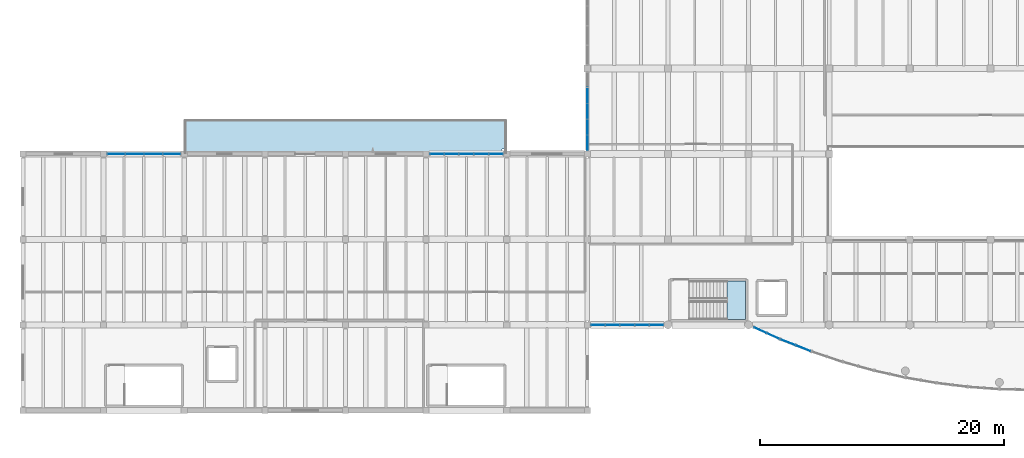
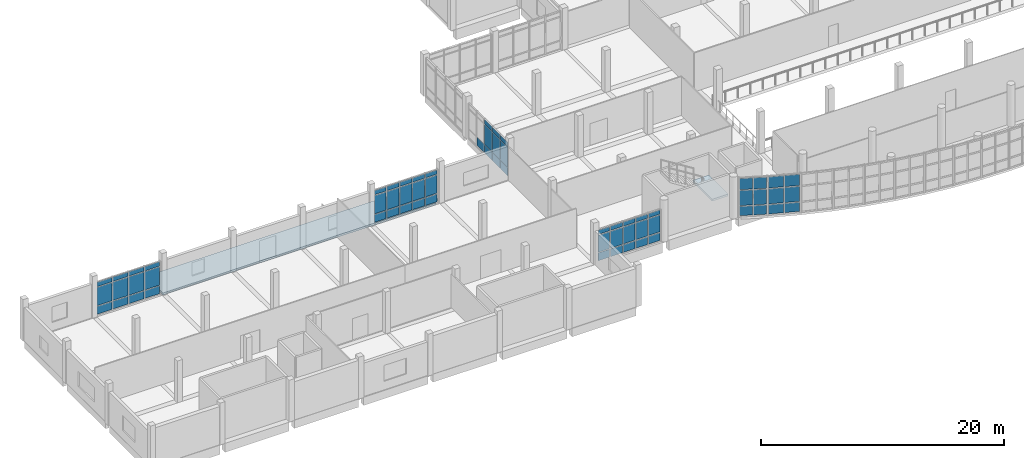
# One storey, part 35 of 65: 64 plates, 2 slabs, 7 elements without a shape of their own.
"""IFC4 building model written with IfcOpenShell, lengths in metres."""

from ifc_helpers import new_model, si_unit, direction, frame, origin, origin_2d, place, context, subcontext, project, spatial, polyline, rectangle, outline, extrude, material, layer, layer_set, type_object, element, aggregate, save


model = new_model("IFC4")

# Units and contexts
model_context = context("Model", 3, precision=1e-05, world=origin(), true_north=direction((0.0, 1.0)))
body_context = subcontext(model_context, "Body", "Model", "MODEL_VIEW")
ifc_project = project(units=[si_unit("LENGTHUNIT", "METRE"), si_unit("AREAUNIT", "SQUARE_METRE"), si_unit("VOLUMEUNIT", "CUBIC_METRE"), si_unit("PLANEANGLEUNIT", "RADIAN"), si_unit("MASSUNIT", "GRAM", prefix="KILO")], contexts=[model_context])

# Site, building, storey
site_placement = place(None, origin())
site = spatial("IfcSite", under=ifc_project, at=site_placement, CompositionType="ELEMENT")
building_placement = place(site_placement, origin())
building = spatial("IfcBuilding", under=site, at=building_placement, Name="Ciguamira Faculty of Natural Sciences", CompositionType="ELEMENT")
storey_placement = place(building_placement, frame((0.0, 0.0, 12.60009765625)))
storey = spatial("IfcBuildingStorey", under=building, at=storey_placement, Name="L03", CompositionType="ELEMENT", Elevation=12.60009765625)

# Curtain wall, plates
ifc_material_1 = material(Name="Anodized aluminium curtain wall", Category="aluminium")
curtain_wall_type_1 = type_object("IfcCurtainWallType", Name="CurtainWall_CW-09", PredefinedType="USERDEFINED", material=ifc_material_1)
curtain_wall_1_placement = place(storey_placement, origin())
curtain_wall_1 = element("IfcCurtainWall", 1, at=curtain_wall_1_placement, inside=storey, type_object=curtain_wall_type_1, Name="L03 unitised curtain wall 0081", ObjectType="UNITISED CURTAIN WALL", PredefinedType="USERDEFINED")
ifc_material_2 = material(Name="Low-E laminated solar glass", Category="glass")
ifc_layer_1 = layer(ifc_material_2, 0.028076171875, Name="Low-E laminated solar glass")
ifc_layer_set_1 = layer_set([ifc_layer_1], Name="Low-E laminated solar glass")
plate_type_1 = type_object("IfcPlateType", Name="CWPanel_CWP-01", PredefinedType="CURTAIN_PANEL", material=ifc_layer_set_1)
plate_1_placement = place(storey_placement, frame((51.572509765625, 10.0, 0.080078125), z_axis=(0.0, 0.0, 1.0), x_axis=(1.0, 0.0, 0.0)))
plate_1 = element("IfcPlate", 2, at=plate_1_placement, type_object=plate_type_1, Name="CW-09 panel 1.1", PredefinedType="CURTAIN_PANEL", context=body_context, shape_type="SweptSolid", body=[
    extrude(rectangle(XDim=1.0849609375, YDim=0.028076171875, at=origin_2d()), origin(), (0.0, 0.0, 1.0), 0.780029296875),
])
plate_2_placement = place(storey_placement, frame((51.572509765625, 10.0, 0.93994140625), z_axis=(0.0, 0.0, 1.0), x_axis=(1.0, 0.0, 0.0)))
plate_2 = element("IfcPlate", 3, at=plate_2_placement, type_object=plate_type_1, Name="CW-09 panel 1.2", PredefinedType="CURTAIN_PANEL", context=body_context, shape_type="SweptSolid", body=[
    extrude(rectangle(XDim=1.0849609375, YDim=0.028076171875, at=origin_2d()), origin(), (0.0, 0.0, 1.0), 1.705078125),
])
plate_3_placement = place(storey_placement, frame((51.572509765625, 10.0, 2.72509765625), z_axis=(0.0, 0.0, 1.0), x_axis=(1.0, 0.0, 0.0)))
plate_3 = element("IfcPlate", 4, at=plate_3_placement, type_object=plate_type_1, Name="CW-09 panel 1.3", PredefinedType="CURTAIN_PANEL", context=body_context, shape_type="SweptSolid", body=[
    extrude(rectangle(XDim=1.0849609375, YDim=0.028076171875, at=origin_2d()), origin(), (0.0, 0.0, 1.0), 0.429931640625),
])
plate_4_placement = place(storey_placement, frame((52.757568359375, 10.0, 0.080078125), z_axis=(0.0, 0.0, 1.0), x_axis=(1.0, 0.0, 0.0)))
plate_4 = element("IfcPlate", 5, at=plate_4_placement, type_object=plate_type_1, Name="CW-09 panel 2.1", PredefinedType="CURTAIN_PANEL", context=body_context, shape_type="SweptSolid", body=[
    extrude(rectangle(XDim=1.125, YDim=0.028076171875, at=origin_2d()), origin(), (0.0, 0.0, 1.0), 0.780029296875),
])
plate_5_placement = place(storey_placement, frame((52.757568359375, 10.0, 0.93994140625), z_axis=(0.0, 0.0, 1.0), x_axis=(1.0, 0.0, 0.0)))
plate_5 = element("IfcPlate", 6, at=plate_5_placement, type_object=plate_type_1, Name="CW-09 panel 2.2", PredefinedType="CURTAIN_PANEL", context=body_context, shape_type="SweptSolid", body=[
    extrude(rectangle(XDim=1.125, YDim=0.028076171875, at=origin_2d()), origin(), (0.0, 0.0, 1.0), 1.705078125),
])
plate_6_placement = place(storey_placement, frame((52.757568359375, 10.0, 2.72509765625), z_axis=(0.0, 0.0, 1.0), x_axis=(1.0, 0.0, 0.0)))
plate_6 = element("IfcPlate", 7, at=plate_6_placement, type_object=plate_type_1, Name="CW-09 panel 2.3", PredefinedType="CURTAIN_PANEL", context=body_context, shape_type="SweptSolid", body=[
    extrude(rectangle(XDim=1.125, YDim=0.028076171875, at=origin_2d()), origin(), (0.0, 0.0, 1.0), 0.429931640625),
])
plate_7_placement = place(storey_placement, frame((53.96240234375, 10.0, 0.080078125), z_axis=(0.0, 0.0, 1.0), x_axis=(1.0, 0.0, 0.0)))
plate_7 = element("IfcPlate", 8, at=plate_7_placement, type_object=plate_type_1, Name="CW-09 panel 3.1", PredefinedType="CURTAIN_PANEL", context=body_context, shape_type="SweptSolid", body=[
    extrude(rectangle(XDim=1.125, YDim=0.028076171875, at=origin_2d()), origin(), (0.0, 0.0, 1.0), 0.780029296875),
])
plate_8_placement = place(storey_placement, frame((53.96240234375, 10.0, 0.93994140625), z_axis=(0.0, 0.0, 1.0), x_axis=(1.0, 0.0, 0.0)))
plate_8 = element("IfcPlate", 9, at=plate_8_placement, type_object=plate_type_1, Name="CW-09 panel 3.2", PredefinedType="CURTAIN_PANEL", context=body_context, shape_type="SweptSolid", body=[
    extrude(rectangle(XDim=1.125, YDim=0.028076171875, at=origin_2d()), origin(), (0.0, 0.0, 1.0), 1.705078125),
])
plate_9_placement = place(storey_placement, frame((53.96240234375, 10.0, 2.72509765625), z_axis=(0.0, 0.0, 1.0), x_axis=(1.0, 0.0, 0.0)))
plate_9 = element("IfcPlate", 10, at=plate_9_placement, type_object=plate_type_1, Name="CW-09 panel 3.3", PredefinedType="CURTAIN_PANEL", context=body_context, shape_type="SweptSolid", body=[
    extrude(rectangle(XDim=1.125, YDim=0.028076171875, at=origin_2d()), origin(), (0.0, 0.0, 1.0), 0.429931640625),
])
plate_10_placement = place(storey_placement, frame((55.16748046875, 10.0, 0.080078125), z_axis=(0.0, 0.0, 1.0), x_axis=(1.0, 0.0, 0.0)))
plate_10 = element("IfcPlate", 11, at=plate_10_placement, type_object=plate_type_1, Name="CW-09 panel 4.1", PredefinedType="CURTAIN_PANEL", context=body_context, shape_type="SweptSolid", body=[
    extrude(rectangle(XDim=1.125, YDim=0.028076171875, at=origin_2d()), origin(), (0.0, 0.0, 1.0), 0.780029296875),
])
plate_11_placement = place(storey_placement, frame((55.16748046875, 10.0, 0.93994140625), z_axis=(0.0, 0.0, 1.0), x_axis=(1.0, 0.0, 0.0)))
plate_11 = element("IfcPlate", 12, at=plate_11_placement, type_object=plate_type_1, Name="CW-09 panel 4.2", PredefinedType="CURTAIN_PANEL", context=body_context, shape_type="SweptSolid", body=[
    extrude(rectangle(XDim=1.125, YDim=0.028076171875, at=origin_2d()), origin(), (0.0, 0.0, 1.0), 1.705078125),
])
plate_12_placement = place(storey_placement, frame((55.16748046875, 10.0, 2.72509765625), z_axis=(0.0, 0.0, 1.0), x_axis=(1.0, 0.0, 0.0)))
plate_12 = element("IfcPlate", 13, at=plate_12_placement, type_object=plate_type_1, Name="CW-09 panel 4.3", PredefinedType="CURTAIN_PANEL", context=body_context, shape_type="SweptSolid", body=[
    extrude(rectangle(XDim=1.125, YDim=0.028076171875, at=origin_2d()), origin(), (0.0, 0.0, 1.0), 0.429931640625),
])
plate_13_placement = place(storey_placement, frame((56.3525390625, 10.0, 0.080078125), z_axis=(0.0, 0.0, 1.0), x_axis=(1.0, 0.0, 0.0)))
plate_13 = element("IfcPlate", 14, at=plate_13_placement, type_object=plate_type_1, Name="CW-09 panel 5.1", PredefinedType="CURTAIN_PANEL", context=body_context, shape_type="SweptSolid", body=[
    extrude(rectangle(XDim=1.0849609375, YDim=0.028076171875, at=origin_2d()), origin(), (0.0, 0.0, 1.0), 0.780029296875),
])
plate_14_placement = place(storey_placement, frame((56.3525390625, 10.0, 0.93994140625), z_axis=(0.0, 0.0, 1.0), x_axis=(1.0, 0.0, 0.0)))
plate_14 = element("IfcPlate", 15, at=plate_14_placement, type_object=plate_type_1, Name="CW-09 panel 5.2", PredefinedType="CURTAIN_PANEL", context=body_context, shape_type="SweptSolid", body=[
    extrude(rectangle(XDim=1.0849609375, YDim=0.028076171875, at=origin_2d()), origin(), (0.0, 0.0, 1.0), 1.705078125),
])
plate_15_placement = place(storey_placement, frame((56.3525390625, 10.0, 2.72509765625), z_axis=(0.0, 0.0, 1.0), x_axis=(1.0, 0.0, 0.0)))
plate_15 = element("IfcPlate", 16, at=plate_15_placement, type_object=plate_type_1, Name="CW-09 panel 5.3", PredefinedType="CURTAIN_PANEL", context=body_context, shape_type="SweptSolid", body=[
    extrude(rectangle(XDim=1.0849609375, YDim=0.028076171875, at=origin_2d()), origin(), (0.0, 0.0, 1.0), 0.429931640625),
])
aggregate(curtain_wall_1, [plate_1, plate_2, plate_3, plate_4, plate_5, plate_6, plate_7, plate_8, plate_9, plate_10, plate_11, plate_12, plate_13, plate_14, plate_15])

curtain_wall_type_2 = type_object("IfcCurtainWallType", Name="CurtainWall_CW-11", PredefinedType="USERDEFINED", material=ifc_material_1)
curtain_wall_2_placement = place(storey_placement, origin())
curtain_wall_2 = element("IfcCurtainWall", 17, at=curtain_wall_2_placement, inside=storey, type_object=curtain_wall_type_2, Name="L03 unitised curtain wall 0083", ObjectType="UNITISED CURTAIN WALL", PredefinedType="USERDEFINED")
plate_16_placement = place(storey_placement, frame((12.1298828125, 24.0, 0.06982421875), z_axis=(0.0, 0.0, 1.0), x_axis=(1.0, 0.0, 0.0)))
plate_16 = element("IfcPlate", 18, at=plate_16_placement, type_object=plate_type_1, Name="CW-11 panel 1.1", PredefinedType="CURTAIN_PANEL", context=body_context, shape_type="SweptSolid", body=[
    extrude(rectangle(XDim=1.419921875, YDim=0.028076171875, at=origin_2d()), origin(), (0.0, 0.0, 1.0), 0.794921875),
])
plate_17_placement = place(storey_placement, frame((12.1298828125, 24.0, 0.93505859375), z_axis=(0.0, 0.0, 1.0), x_axis=(1.0, 0.0, 0.0)))
plate_17 = element("IfcPlate", 19, at=plate_17_placement, type_object=plate_type_1, Name="CW-11 panel 1.2", PredefinedType="CURTAIN_PANEL", context=body_context, shape_type="SweptSolid", body=[
    extrude(rectangle(XDim=1.419921875, YDim=0.028076171875, at=origin_2d()), origin(), (0.0, 0.0, 1.0), 1.844970703125),
])
plate_18_placement = place(storey_placement, frame((12.1298828125, 24.0, 2.85009765625), z_axis=(0.0, 0.0, 1.0), x_axis=(1.0, 0.0, 0.0)))
plate_18 = element("IfcPlate", 20, at=plate_18_placement, type_object=plate_type_1, Name="CW-11 panel 1.3", PredefinedType="CURTAIN_PANEL", context=body_context, shape_type="SweptSolid", body=[
    extrude(rectangle(XDim=1.419921875, YDim=0.028076171875, at=origin_2d()), origin(), (0.0, 0.0, 1.0), 0.445068359375),
])
plate_19_placement = place(storey_placement, frame((13.637451171875, 24.0, 0.06982421875), z_axis=(0.0, 0.0, 1.0), x_axis=(1.0, 0.0, 0.0)))
plate_19 = element("IfcPlate", 21, at=plate_19_placement, type_object=plate_type_1, Name="CW-11 panel 2.1", PredefinedType="CURTAIN_PANEL", context=body_context, shape_type="SweptSolid", body=[
    extrude(rectangle(XDim=1.455078125, YDim=0.028076171875, at=origin_2d()), origin(), (0.0, 0.0, 1.0), 0.794921875),
])
plate_20_placement = place(storey_placement, frame((13.637451171875, 24.0, 0.93505859375), z_axis=(0.0, 0.0, 1.0), x_axis=(1.0, 0.0, 0.0)))
plate_20 = element("IfcPlate", 22, at=plate_20_placement, type_object=plate_type_1, Name="CW-11 panel 2.2", PredefinedType="CURTAIN_PANEL", context=body_context, shape_type="SweptSolid", body=[
    extrude(rectangle(XDim=1.455078125, YDim=0.028076171875, at=origin_2d()), origin(), (0.0, 0.0, 1.0), 1.844970703125),
])
plate_21_placement = place(storey_placement, frame((13.637451171875, 24.0, 2.85009765625), z_axis=(0.0, 0.0, 1.0), x_axis=(1.0, 0.0, 0.0)))
plate_21 = element("IfcPlate", 23, at=plate_21_placement, type_object=plate_type_1, Name="CW-11 panel 2.3", PredefinedType="CURTAIN_PANEL", context=body_context, shape_type="SweptSolid", body=[
    extrude(rectangle(XDim=1.455078125, YDim=0.028076171875, at=origin_2d()), origin(), (0.0, 0.0, 1.0), 0.445068359375),
])
plate_22_placement = place(storey_placement, frame((15.16259765625, 24.0, 0.06982421875), z_axis=(0.0, 0.0, 1.0), x_axis=(1.0, 0.0, 0.0)))
plate_22 = element("IfcPlate", 24, at=plate_22_placement, type_object=plate_type_1, Name="CW-11 panel 3.1", PredefinedType="CURTAIN_PANEL", context=body_context, shape_type="SweptSolid", body=[
    extrude(rectangle(XDim=1.455078125, YDim=0.028076171875, at=origin_2d()), origin(), (0.0, 0.0, 1.0), 0.794921875),
])
plate_23_placement = place(storey_placement, frame((15.16259765625, 24.0, 0.93505859375), z_axis=(0.0, 0.0, 1.0), x_axis=(1.0, 0.0, 0.0)))
plate_23 = element("IfcPlate", 25, at=plate_23_placement, type_object=plate_type_1, Name="CW-11 panel 3.2", PredefinedType="CURTAIN_PANEL", context=body_context, shape_type="SweptSolid", body=[
    extrude(rectangle(XDim=1.455078125, YDim=0.028076171875, at=origin_2d()), origin(), (0.0, 0.0, 1.0), 1.844970703125),
])
plate_24_placement = place(storey_placement, frame((15.16259765625, 24.0, 2.85009765625), z_axis=(0.0, 0.0, 1.0), x_axis=(1.0, 0.0, 0.0)))
plate_24 = element("IfcPlate", 26, at=plate_24_placement, type_object=plate_type_1, Name="CW-11 panel 3.3", PredefinedType="CURTAIN_PANEL", context=body_context, shape_type="SweptSolid", body=[
    extrude(rectangle(XDim=1.455078125, YDim=0.028076171875, at=origin_2d()), origin(), (0.0, 0.0, 1.0), 0.445068359375),
])
plate_25_placement = place(storey_placement, frame((16.669921875, 24.0, 0.06982421875), z_axis=(0.0, 0.0, 1.0), x_axis=(1.0, 0.0, 0.0)))
plate_25 = element("IfcPlate", 27, at=plate_25_placement, type_object=plate_type_1, Name="CW-11 panel 4.1", PredefinedType="CURTAIN_PANEL", context=body_context, shape_type="SweptSolid", body=[
    extrude(rectangle(XDim=1.419921875, YDim=0.028076171875, at=origin_2d()), origin(), (0.0, 0.0, 1.0), 0.794921875),
])
plate_26_placement = place(storey_placement, frame((16.669921875, 24.0, 0.93505859375), z_axis=(0.0, 0.0, 1.0), x_axis=(1.0, 0.0, 0.0)))
plate_26 = element("IfcPlate", 28, at=plate_26_placement, type_object=plate_type_1, Name="CW-11 panel 4.2", PredefinedType="CURTAIN_PANEL", context=body_context, shape_type="SweptSolid", body=[
    extrude(rectangle(XDim=1.419921875, YDim=0.028076171875, at=origin_2d()), origin(), (0.0, 0.0, 1.0), 1.844970703125),
])
plate_27_placement = place(storey_placement, frame((16.669921875, 24.0, 2.85009765625), z_axis=(0.0, 0.0, 1.0), x_axis=(1.0, 0.0, 0.0)))
plate_27 = element("IfcPlate", 29, at=plate_27_placement, type_object=plate_type_1, Name="CW-11 panel 4.3", PredefinedType="CURTAIN_PANEL", context=body_context, shape_type="SweptSolid", body=[
    extrude(rectangle(XDim=1.419921875, YDim=0.028076171875, at=origin_2d()), origin(), (0.0, 0.0, 1.0), 0.445068359375),
])
aggregate(curtain_wall_2, [plate_16, plate_17, plate_18, plate_19, plate_20, plate_21, plate_22, plate_23, plate_24, plate_25, plate_26, plate_27])

curtain_wall_type_3 = type_object("IfcCurtainWallType", Name="CurtainWall_CW-12", PredefinedType="USERDEFINED", material=ifc_material_1)
curtain_wall_3_placement = place(storey_placement, origin())
curtain_wall_3 = element("IfcCurtainWall", 30, at=curtain_wall_3_placement, inside=storey, type_object=curtain_wall_type_3, Name="L03 south gallery curved curtain wall 01", ObjectType="UNITISED CURTAIN WALL", PredefinedType="USERDEFINED")
plate_28_placement = place(storey_placement, frame((64.8466796875, 9.5703125, 0.080078125), z_axis=(0.0, 0.0, 1.0), x_axis=(0.910580503774, -0.41333176281, 0.0)))
plate_28 = element("IfcPlate", 31, at=plate_28_placement, type_object=plate_type_1, Name="CW-12 panel 1.1", PredefinedType="CURTAIN_PANEL", context=body_context, shape_type="SweptSolid", body=[
    extrude(rectangle(XDim=1.079345703125, YDim=0.028076171875, at=origin_2d()), origin(), (0.0, 0.0, 1.0), 0.929931640625),
])
plate_29_placement = place(storey_placement, frame((64.8466796875, 9.5703125, 1.08984375), z_axis=(0.0, 0.0, 1.0), x_axis=(0.910580503774, -0.41333176281, 0.0)))
plate_29 = element("IfcPlate", 32, at=plate_29_placement, type_object=plate_type_1, Name="CW-12 panel 1.2", PredefinedType="CURTAIN_PANEL", context=body_context, shape_type="SweptSolid", body=[
    extrude(rectangle(XDim=1.079345703125, YDim=0.028076171875, at=origin_2d()), origin(), (0.0, 0.0, 1.0), 1.52001953125),
])
plate_30_placement = place(storey_placement, frame((64.8466796875, 9.5703125, 2.68994140625), z_axis=(0.0, 0.0, 1.0), x_axis=(0.910580503774, -0.41333176281, 0.0)))
plate_30 = element("IfcPlate", 33, at=plate_30_placement, type_object=plate_type_1, Name="CW-12 panel 1.3", PredefinedType="CURTAIN_PANEL", context=body_context, shape_type="SweptSolid", body=[
    extrude(rectangle(XDim=1.079345703125, YDim=0.028076171875, at=origin_2d()), origin(), (0.0, 0.0, 1.0), 1.1298828125),
])
plate_31_placement = place(storey_placement, frame((65.90234375, 9.091064453125, 0.080078125), z_axis=(0.0, 0.0, 1.0), x_axis=(0.910580503774, -0.41333176281, 0.0)))
plate_31 = element("IfcPlate", 34, at=plate_31_placement, type_object=plate_type_1, Name="CW-12 panel 2.1", PredefinedType="CURTAIN_PANEL", context=body_context, shape_type="SweptSolid", body=[
    extrude(rectangle(XDim=1.079345703125, YDim=0.028076171875, at=origin_2d()), origin(), (0.0, 0.0, 1.0), 0.929931640625),
])
plate_32_placement = place(storey_placement, frame((65.90234375, 9.091064453125, 1.08984375), z_axis=(0.0, 0.0, 1.0), x_axis=(0.910580503774, -0.41333176281, 0.0)))
plate_32 = element("IfcPlate", 35, at=plate_32_placement, type_object=plate_type_1, Name="CW-12 panel 2.2", PredefinedType="CURTAIN_PANEL", context=body_context, shape_type="SweptSolid", body=[
    extrude(rectangle(XDim=1.079345703125, YDim=0.028076171875, at=origin_2d()), origin(), (0.0, 0.0, 1.0), 1.52001953125),
])
plate_33_placement = place(storey_placement, frame((65.90234375, 9.091064453125, 2.68994140625), z_axis=(0.0, 0.0, 1.0), x_axis=(0.910580503774, -0.41333176281, 0.0)))
plate_33 = element("IfcPlate", 36, at=plate_33_placement, type_object=plate_type_1, Name="CW-12 panel 2.3", PredefinedType="CURTAIN_PANEL", context=body_context, shape_type="SweptSolid", body=[
    extrude(rectangle(XDim=1.079345703125, YDim=0.028076171875, at=origin_2d()), origin(), (0.0, 0.0, 1.0), 1.1298828125),
])
aggregate(curtain_wall_3, [plate_28, plate_29, plate_30, plate_31, plate_32, plate_33])

curtain_wall_type_4 = type_object("IfcCurtainWallType", Name="CurtainWall_CW-01", PredefinedType="USERDEFINED", material=ifc_material_1)
curtain_wall_4_placement = place(storey_placement, origin())
curtain_wall_4 = element("IfcCurtainWall", 37, at=curtain_wall_4_placement, inside=storey, type_object=curtain_wall_type_4, Name="L03 south gallery curved curtain wall 02", ObjectType="UNITISED CURTAIN WALL", PredefinedType="USERDEFINED")
plate_34_placement = place(storey_placement, frame((67.126953125, 8.576171875, 0.080078125), z_axis=(0.0, 0.0, 1.0), x_axis=(0.931122296337, -0.36470710065, 0.0)))
plate_34 = element("IfcPlate", 38, at=plate_34_placement, type_object=plate_type_1, Name="CW-01 panel 1.1", PredefinedType="CURTAIN_PANEL", context=body_context, shape_type="SweptSolid", body=[
    extrude(rectangle(XDim=1.25830078125, YDim=0.028076171875, at=origin_2d()), origin(), (0.0, 0.0, 1.0), 0.929931640625),
])
plate_35_placement = place(storey_placement, frame((67.126953125, 8.576171875, 1.08984375), z_axis=(0.0, 0.0, 1.0), x_axis=(0.931122296337, -0.36470710065, 0.0)))
plate_35 = element("IfcPlate", 39, at=plate_35_placement, type_object=plate_type_1, Name="CW-01 panel 1.2", PredefinedType="CURTAIN_PANEL", context=body_context, shape_type="SweptSolid", body=[
    extrude(rectangle(XDim=1.25830078125, YDim=0.028076171875, at=origin_2d()), origin(), (0.0, 0.0, 1.0), 1.52001953125),
])
plate_36_placement = place(storey_placement, frame((67.126953125, 8.576171875, 2.68994140625), z_axis=(0.0, 0.0, 1.0), x_axis=(0.931122296337, -0.36470710065, 0.0)))
plate_36 = element("IfcPlate", 40, at=plate_36_placement, type_object=plate_type_1, Name="CW-01 panel 1.3", PredefinedType="CURTAIN_PANEL", context=body_context, shape_type="SweptSolid", body=[
    extrude(rectangle(XDim=1.25830078125, YDim=0.028076171875, at=origin_2d()), origin(), (0.0, 0.0, 1.0), 1.1298828125),
])
plate_37_placement = place(storey_placement, frame((68.373046875, 8.088134765625, 0.080078125), z_axis=(0.0, 0.0, 1.0), x_axis=(0.931122296337, -0.36470710065, 0.0)))
plate_37 = element("IfcPlate", 41, at=plate_37_placement, type_object=plate_type_1, Name="CW-01 panel 2.1", PredefinedType="CURTAIN_PANEL", context=body_context, shape_type="SweptSolid", body=[
    extrude(rectangle(XDim=1.25830078125, YDim=0.028076171875, at=origin_2d()), origin(), (0.0, 0.0, 1.0), 0.929931640625),
])
plate_38_placement = place(storey_placement, frame((68.373046875, 8.088134765625, 1.08984375), z_axis=(0.0, 0.0, 1.0), x_axis=(0.931122296337, -0.36470710065, 0.0)))
plate_38 = element("IfcPlate", 42, at=plate_38_placement, type_object=plate_type_1, Name="CW-01 panel 2.2", PredefinedType="CURTAIN_PANEL", context=body_context, shape_type="SweptSolid", body=[
    extrude(rectangle(XDim=1.25830078125, YDim=0.028076171875, at=origin_2d()), origin(), (0.0, 0.0, 1.0), 1.52001953125),
])
plate_39_placement = place(storey_placement, frame((68.373046875, 8.088134765625, 2.68994140625), z_axis=(0.0, 0.0, 1.0), x_axis=(0.931122296337, -0.36470710065, 0.0)))
plate_39 = element("IfcPlate", 43, at=plate_39_placement, type_object=plate_type_1, Name="CW-01 panel 2.3", PredefinedType="CURTAIN_PANEL", context=body_context, shape_type="SweptSolid", body=[
    extrude(rectangle(XDim=1.25830078125, YDim=0.028076171875, at=origin_2d()), origin(), (0.0, 0.0, 1.0), 1.1298828125),
])
aggregate(curtain_wall_4, [plate_34, plate_35, plate_36, plate_37, plate_38, plate_39])

curtain_wall_5_placement = place(storey_placement, origin())
curtain_wall_5 = element("IfcCurtainWall", 44, at=curtain_wall_5_placement, inside=storey, type_object=curtain_wall_type_3, Name="L03 unitised curtain wall 0084", ObjectType="UNITISED CURTAIN WALL", PredefinedType="USERDEFINED")
ifc_layer_2 = layer(ifc_material_2, 0.035888671875, Name="Low-E laminated solar glass")
ifc_layer_set_2 = layer_set([ifc_layer_2], Name="Low-E laminated solar glass")
plate_type_2 = type_object("IfcPlateType", Name="CWPanel_CWP-02", PredefinedType="CURTAIN_PANEL", material=ifc_layer_set_2)
plate_40_placement = place(storey_placement, frame((38.3798828125, 24.0, 0.080078125), z_axis=(0.0, 0.0, 1.0), x_axis=(1.0, 0.0, 0.0)))
plate_40 = element("IfcPlate", 45, at=plate_40_placement, type_object=plate_type_2, Name="CW-12 panel 1.1", PredefinedType="CURTAIN_PANEL", context=body_context, shape_type="SweptSolid", body=[
    extrude(rectangle(XDim=1.10009765625, YDim=0.035888671875, at=origin_2d()), origin(), (0.0, 0.0, 1.0), 0.780029296875),
])
plate_41_placement = place(storey_placement, frame((38.3798828125, 24.0, 0.93994140625), z_axis=(0.0, 0.0, 1.0), x_axis=(1.0, 0.0, 0.0)))
plate_41 = element("IfcPlate", 46, at=plate_41_placement, type_object=plate_type_2, Name="CW-12 panel 1.2", PredefinedType="CURTAIN_PANEL", context=body_context, shape_type="SweptSolid", body=[
    extrude(rectangle(XDim=1.10009765625, YDim=0.035888671875, at=origin_2d()), origin(), (0.0, 0.0, 1.0), 1.8349609375),
])
plate_42_placement = place(storey_placement, frame((38.3798828125, 24.0, 2.85498046875), z_axis=(0.0, 0.0, 1.0), x_axis=(1.0, 0.0, 0.0)))
plate_42 = element("IfcPlate", 47, at=plate_42_placement, type_object=plate_type_2, Name="CW-12 panel 1.3", PredefinedType="CURTAIN_PANEL", context=body_context, shape_type="SweptSolid", body=[
    extrude(rectangle(XDim=1.10009765625, YDim=0.035888671875, at=origin_2d()), origin(), (0.0, 0.0, 1.0), 0.429931640625),
])
plate_43_placement = place(storey_placement, frame((39.580078125, 24.0, 0.080078125), z_axis=(0.0, 0.0, 1.0), x_axis=(1.0, 0.0, 0.0)))
plate_43 = element("IfcPlate", 48, at=plate_43_placement, type_object=plate_type_2, Name="CW-12 panel 2.1", PredefinedType="CURTAIN_PANEL", context=body_context, shape_type="SweptSolid", body=[
    extrude(rectangle(XDim=1.139892578125, YDim=0.035888671875, at=origin_2d()), origin(), (0.0, 0.0, 1.0), 0.780029296875),
])
plate_44_placement = place(storey_placement, frame((39.580078125, 24.0, 0.93994140625), z_axis=(0.0, 0.0, 1.0), x_axis=(1.0, 0.0, 0.0)))
plate_44 = element("IfcPlate", 49, at=plate_44_placement, type_object=plate_type_2, Name="CW-12 panel 2.2", PredefinedType="CURTAIN_PANEL", context=body_context, shape_type="SweptSolid", body=[
    extrude(rectangle(XDim=1.139892578125, YDim=0.035888671875, at=origin_2d()), origin(), (0.0, 0.0, 1.0), 1.8349609375),
])
plate_45_placement = place(storey_placement, frame((39.580078125, 24.0, 2.85498046875), z_axis=(0.0, 0.0, 1.0), x_axis=(1.0, 0.0, 0.0)))
plate_45 = element("IfcPlate", 50, at=plate_45_placement, type_object=plate_type_2, Name="CW-12 panel 2.3", PredefinedType="CURTAIN_PANEL", context=body_context, shape_type="SweptSolid", body=[
    extrude(rectangle(XDim=1.139892578125, YDim=0.035888671875, at=origin_2d()), origin(), (0.0, 0.0, 1.0), 0.429931640625),
])
plate_46_placement = place(storey_placement, frame((40.800048828125, 24.0, 0.080078125), z_axis=(0.0, 0.0, 1.0), x_axis=(1.0, 0.0, 0.0)))
plate_46 = element("IfcPlate", 51, at=plate_46_placement, type_object=plate_type_2, Name="CW-12 panel 3.1", PredefinedType="CURTAIN_PANEL", context=body_context, shape_type="SweptSolid", body=[
    extrude(rectangle(XDim=1.139892578125, YDim=0.035888671875, at=origin_2d()), origin(), (0.0, 0.0, 1.0), 0.780029296875),
])
plate_47_placement = place(storey_placement, frame((40.800048828125, 24.0, 0.93994140625), z_axis=(0.0, 0.0, 1.0), x_axis=(1.0, 0.0, 0.0)))
plate_47 = element("IfcPlate", 52, at=plate_47_placement, type_object=plate_type_2, Name="CW-12 panel 3.2", PredefinedType="CURTAIN_PANEL", context=body_context, shape_type="SweptSolid", body=[
    extrude(rectangle(XDim=1.139892578125, YDim=0.035888671875, at=origin_2d()), origin(), (0.0, 0.0, 1.0), 1.8349609375),
])
plate_48_placement = place(storey_placement, frame((40.800048828125, 24.0, 2.85498046875), z_axis=(0.0, 0.0, 1.0), x_axis=(1.0, 0.0, 0.0)))
plate_48 = element("IfcPlate", 53, at=plate_48_placement, type_object=plate_type_2, Name="CW-12 panel 3.3", PredefinedType="CURTAIN_PANEL", context=body_context, shape_type="SweptSolid", body=[
    extrude(rectangle(XDim=1.139892578125, YDim=0.035888671875, at=origin_2d()), origin(), (0.0, 0.0, 1.0), 0.429931640625),
])
plate_49_placement = place(storey_placement, frame((42.02001953125, 24.0, 0.080078125), z_axis=(0.0, 0.0, 1.0), x_axis=(1.0, 0.0, 0.0)))
plate_49 = element("IfcPlate", 54, at=plate_49_placement, type_object=plate_type_2, Name="CW-12 panel 4.1", PredefinedType="CURTAIN_PANEL", context=body_context, shape_type="SweptSolid", body=[
    extrude(rectangle(XDim=1.139892578125, YDim=0.035888671875, at=origin_2d()), origin(), (0.0, 0.0, 1.0), 0.780029296875),
])
plate_50_placement = place(storey_placement, frame((42.02001953125, 24.0, 0.93994140625), z_axis=(0.0, 0.0, 1.0), x_axis=(1.0, 0.0, 0.0)))
plate_50 = element("IfcPlate", 55, at=plate_50_placement, type_object=plate_type_2, Name="CW-12 panel 4.2", PredefinedType="CURTAIN_PANEL", context=body_context, shape_type="SweptSolid", body=[
    extrude(rectangle(XDim=1.139892578125, YDim=0.035888671875, at=origin_2d()), origin(), (0.0, 0.0, 1.0), 1.8349609375),
])
plate_51_placement = place(storey_placement, frame((42.02001953125, 24.0, 2.85498046875), z_axis=(0.0, 0.0, 1.0), x_axis=(1.0, 0.0, 0.0)))
plate_51 = element("IfcPlate", 56, at=plate_51_placement, type_object=plate_type_2, Name="CW-12 panel 4.3", PredefinedType="CURTAIN_PANEL", context=body_context, shape_type="SweptSolid", body=[
    extrude(rectangle(XDim=1.139892578125, YDim=0.035888671875, at=origin_2d()), origin(), (0.0, 0.0, 1.0), 0.429931640625),
])
plate_52_placement = place(storey_placement, frame((43.219970703125, 24.0, 0.080078125), z_axis=(0.0, 0.0, 1.0), x_axis=(1.0, 0.0, 0.0)))
plate_52 = element("IfcPlate", 57, at=plate_52_placement, type_object=plate_type_2, Name="CW-12 panel 5.1", PredefinedType="CURTAIN_PANEL", context=body_context, shape_type="SweptSolid", body=[
    extrude(rectangle(XDim=1.10009765625, YDim=0.035888671875, at=origin_2d()), origin(), (0.0, 0.0, 1.0), 0.780029296875),
])
plate_53_placement = place(storey_placement, frame((43.219970703125, 24.0, 0.93994140625), z_axis=(0.0, 0.0, 1.0), x_axis=(1.0, 0.0, 0.0)))
plate_53 = element("IfcPlate", 58, at=plate_53_placement, type_object=plate_type_2, Name="CW-12 panel 5.2", PredefinedType="CURTAIN_PANEL", context=body_context, shape_type="SweptSolid", body=[
    extrude(rectangle(XDim=1.10009765625, YDim=0.035888671875, at=origin_2d()), origin(), (0.0, 0.0, 1.0), 1.8349609375),
])
plate_54_placement = place(storey_placement, frame((43.219970703125, 24.0, 2.85498046875), z_axis=(0.0, 0.0, 1.0), x_axis=(1.0, 0.0, 0.0)))
plate_54 = element("IfcPlate", 59, at=plate_54_placement, type_object=plate_type_2, Name="CW-12 panel 5.3", PredefinedType="CURTAIN_PANEL", context=body_context, shape_type="SweptSolid", body=[
    extrude(rectangle(XDim=1.10009765625, YDim=0.035888671875, at=origin_2d()), origin(), (0.0, 0.0, 1.0), 0.429931640625),
])
aggregate(curtain_wall_5, [plate_40, plate_41, plate_42, plate_43, plate_44, plate_45, plate_46, plate_47, plate_48, plate_49, plate_50, plate_51, plate_52, plate_53, plate_54])

curtain_wall_type_5 = type_object("IfcCurtainWallType", Name="CurtainWall_CW-04", PredefinedType="USERDEFINED", material=ifc_material_1)
curtain_wall_6_placement = place(storey_placement, origin())
curtain_wall_6 = element("IfcCurtainWall", 60, at=curtain_wall_6_placement, inside=storey, type_object=curtain_wall_type_5, Name="L03 unitised curtain wall 0100", ObjectType="UNITISED CURTAIN WALL", PredefinedType="USERDEFINED")
plate_55_placement = place(storey_placement, frame((50.699951171875, 24.91259765625, 0.059814453125), z_axis=(0.0, 0.0, 1.0), x_axis=(0.0, 1.0, 0.0)))
plate_55 = element("IfcPlate", 61, at=plate_55_placement, type_object=plate_type_2, Name="CW-04 panel 1.1", PredefinedType="CURTAIN_PANEL", context=body_context, shape_type="SweptSolid", body=[
    extrude(rectangle(XDim=1.205078125, YDim=0.035888671875, at=origin_2d()), origin(), (0.0, 0.0, 1.0), 0.81005859375),
])
plate_56_placement = place(storey_placement, frame((50.699951171875, 24.91259765625, 0.929931640625), z_axis=(0.0, 0.0, 1.0), x_axis=(0.0, 1.0, 0.0)))
plate_56 = element("IfcPlate", 62, at=plate_56_placement, type_object=plate_type_2, Name="CW-04 panel 1.2", PredefinedType="CURTAIN_PANEL", context=body_context, shape_type="SweptSolid", body=[
    extrude(rectangle(XDim=1.205078125, YDim=0.035888671875, at=origin_2d()), origin(), (0.0, 0.0, 1.0), 1.9951171875),
])
plate_57_placement = place(storey_placement, frame((50.699951171875, 24.91259765625, 2.98486328125), z_axis=(0.0, 0.0, 1.0), x_axis=(0.0, 1.0, 0.0)))
plate_57 = element("IfcPlate", 63, at=plate_57_placement, type_object=plate_type_2, Name="CW-04 panel 1.3", PredefinedType="CURTAIN_PANEL", context=body_context, shape_type="SweptSolid", body=[
    extrude(rectangle(XDim=1.205078125, YDim=0.035888671875, at=origin_2d()), origin(), (0.0, 0.0, 1.0), 0.4599609375),
])
plate_58_placement = place(storey_placement, frame((50.699951171875, 26.1923828125, 0.059814453125), z_axis=(0.0, 0.0, 1.0), x_axis=(0.0, 1.0, 0.0)))
plate_58 = element("IfcPlate", 64, at=plate_58_placement, type_object=plate_type_2, Name="CW-04 panel 2.1", PredefinedType="CURTAIN_PANEL", context=body_context, shape_type="SweptSolid", body=[
    extrude(rectangle(XDim=1.235107421875, YDim=0.035888671875, at=origin_2d()), origin(), (0.0, 0.0, 1.0), 0.81005859375),
])
plate_59_placement = place(storey_placement, frame((50.699951171875, 26.1923828125, 0.929931640625), z_axis=(0.0, 0.0, 1.0), x_axis=(0.0, 1.0, 0.0)))
plate_59 = element("IfcPlate", 65, at=plate_59_placement, type_object=plate_type_2, Name="CW-04 panel 2.2", PredefinedType="CURTAIN_PANEL", context=body_context, shape_type="SweptSolid", body=[
    extrude(rectangle(XDim=1.235107421875, YDim=0.035888671875, at=origin_2d()), origin(), (0.0, 0.0, 1.0), 1.9951171875),
])
plate_60_placement = place(storey_placement, frame((50.699951171875, 26.1923828125, 2.98486328125), z_axis=(0.0, 0.0, 1.0), x_axis=(0.0, 1.0, 0.0)))
plate_60 = element("IfcPlate", 66, at=plate_60_placement, type_object=plate_type_2, Name="CW-04 panel 2.3", PredefinedType="CURTAIN_PANEL", context=body_context, shape_type="SweptSolid", body=[
    extrude(rectangle(XDim=1.235107421875, YDim=0.035888671875, at=origin_2d()), origin(), (0.0, 0.0, 1.0), 0.4599609375),
])
plate_61_placement = place(storey_placement, frame((50.699951171875, 27.487548828125, 0.059814453125), z_axis=(0.0, 0.0, 1.0), x_axis=(0.0, 1.0, 0.0)))
plate_61 = element("IfcPlate", 67, at=plate_61_placement, type_object=plate_type_2, Name="CW-04 panel 3.1", PredefinedType="CURTAIN_PANEL", context=body_context, shape_type="SweptSolid", body=[
    extrude(rectangle(XDim=1.235107421875, YDim=0.035888671875, at=origin_2d()), origin(), (0.0, 0.0, 1.0), 0.81005859375),
])
plate_62_placement = place(storey_placement, frame((50.699951171875, 27.487548828125, 0.929931640625), z_axis=(0.0, 0.0, 1.0), x_axis=(0.0, 1.0, 0.0)))
plate_62 = element("IfcPlate", 68, at=plate_62_placement, type_object=plate_type_2, Name="CW-04 panel 3.2", PredefinedType="CURTAIN_PANEL", context=body_context, shape_type="SweptSolid", body=[
    extrude(rectangle(XDim=1.235107421875, YDim=0.035888671875, at=origin_2d()), origin(), (0.0, 0.0, 1.0), 1.9951171875),
])
plate_63_placement = place(storey_placement, frame((50.699951171875, 27.487548828125, 2.98486328125), z_axis=(0.0, 0.0, 1.0), x_axis=(0.0, 1.0, 0.0)))
plate_63 = element("IfcPlate", 69, at=plate_63_placement, type_object=plate_type_2, Name="CW-04 panel 3.3", PredefinedType="CURTAIN_PANEL", context=body_context, shape_type="SweptSolid", body=[
    extrude(rectangle(XDim=1.235107421875, YDim=0.035888671875, at=origin_2d()), origin(), (0.0, 0.0, 1.0), 0.4599609375),
])
plate_64_placement = place(storey_placement, frame((50.699951171875, 28.782470703125, 0.059814453125), z_axis=(0.0, 0.0, 1.0), x_axis=(0.0, 1.0, 0.0)))
plate_64 = element("IfcPlate", 70, at=plate_64_placement, type_object=plate_type_2, Name="CW-04 panel 4.1", PredefinedType="CURTAIN_PANEL", context=body_context, shape_type="SweptSolid", body=[
    extrude(rectangle(XDim=1.235107421875, YDim=0.035888671875, at=origin_2d()), origin(), (0.0, 0.0, 1.0), 0.81005859375),
])
aggregate(curtain_wall_6, [plate_55, plate_56, plate_57, plate_58, plate_59, plate_60, plate_61, plate_62, plate_63, plate_64])

# Slab
ifc_material_3 = material(Name="Concrete C40/50", Category="concrete")
ifc_layer_3 = layer(ifc_material_3, 0.199951171875, Name="Concrete C40/50")
ifc_layer_set_3 = layer_set([ifc_layer_3], Name="Concrete C40/50")
slab_type_1 = type_object("IfcSlabType", Name="Slab_ST-01_200", PredefinedType="FLOOR", material=ifc_layer_set_3)
slab_1_placement = place(storey_placement, frame((0.0, 0.0, -0.2001953125)))
element("IfcSlab", 71, at=slab_1_placement, inside=storey, type_object=slab_type_1, Name="L03 Commons North Reading Terrace", PredefinedType="FLOOR", context=body_context, shape_type="SweptSolid", body=[
    extrude(outline(polyline([(17.699951171875, 24.0), (43.699951171875, 24.0), (43.699951171875, 24.39990234375), (44.10009765625, 24.39990234375), (44.10009765625, 26.800048828125), (17.699951171875, 26.800048828125), (17.699951171875, 24.0)])), origin(), (0.0, 0.0, 1.0), 0.2001953125),
])

# Stair, slab
stair_type = type_object("IfcStairType", Name="Stair_STR-01", PredefinedType="HALF_TURN_STAIR", material=ifc_material_3)
stair_placement = place(storey_placement, origin())
stair = element("IfcStair", 72, at=stair_placement, inside=storey, type_object=stair_type, Name="L03 Atrium West Exit Stair", PredefinedType="HALF_TURN_STAIR")
ifc_layer_4 = layer(ifc_material_3, 0.199951171875, Name="Concrete C40/50")
ifc_layer_set_4 = layer_set([ifc_layer_4], Name="Concrete C40/50")
slab_type_2 = type_object("IfcSlabType", Name="StairLanding_SLD01", PredefinedType="LANDING", material=ifc_layer_set_4)
slab_2_placement = place(storey_placement, frame((0.0, 0.0, 1.89990234375)))
slab_2 = element("IfcSlab", 73, at=slab_2_placement, type_object=slab_type_2, Name="ST-A1 landing 1", PredefinedType="LANDING", context=body_context, shape_type="SweptSolid", body=[
    extrude(outline(polyline([(62.139892578125, 10.449951171875), (63.64990234375, 10.449951171875), (63.64990234375, 13.610107421875), (62.139892578125, 13.610107421875), (62.139892578125, 10.449951171875)])), origin(), (0.0, 0.0, 1.0), 0.199951171875),
])
aggregate(stair, [slab_2])

save(model, "model.ifc")
